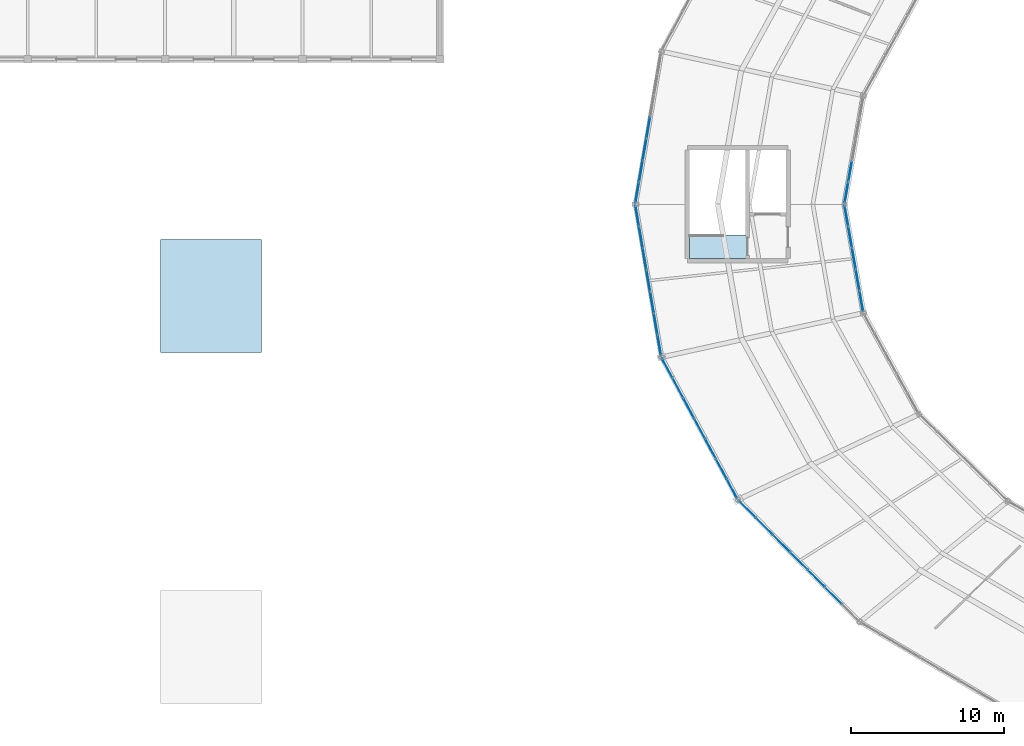
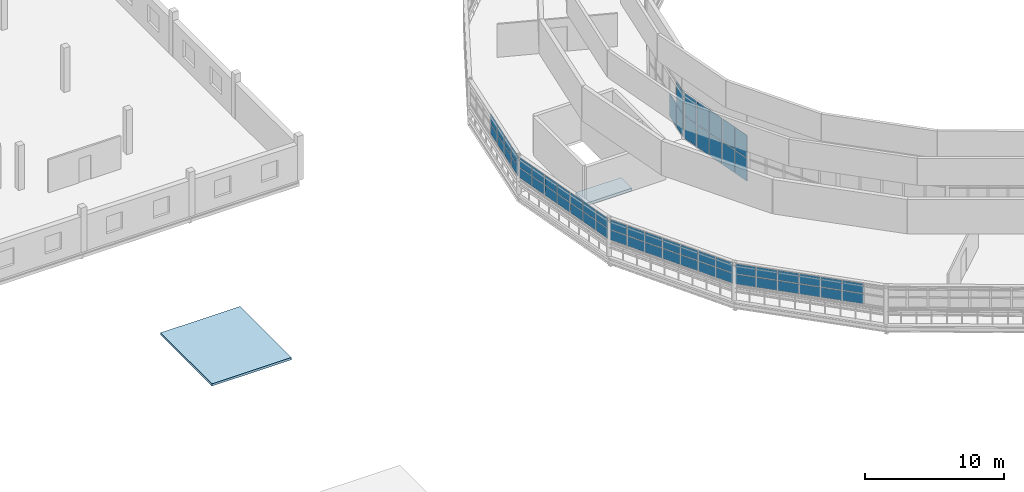
# One storey, part 79 of 123: 61 plates, 2 slabs, 6 elements without a shape of their own.
"""IFC4 building model written with IfcOpenShell, lengths in metres."""

import ifcopenshell
import ifcopenshell.guid

model = None  # the IFC model being written
_history = None  # IfcOwnerHistory: only IFC2X3 demands one
_inside = {}  # id of a spatial element -> (the spatial element, [elements in it])
_under = {}  # id of a project, library or spatial element -> (it, [spatial elements below it])
_declared = {}  # id of a project -> (the project, [libraries it declares])
_typed = {}  # id of a type object -> (the type object, [elements of that type])
_made_of = {}  # id of a material, layer set ... -> (it, [elements and type objects made of it])


def new_model(schema):
    """Start an empty IFC model of exactly this schema.

    Asked for "IFC4X3", IfcOpenShell would pick the latest addendum, in which some entities
    have other attributes; the version numbers below select the first issue.
    IFC2X3 requires an IfcOwnerHistory on every rooted entity: one is made here for all.
    """
    global model, _history
    if schema == "IFC4X3":
        model = ifcopenshell.file(schema_version=(4, 3, 0, 0))
    else:
        model = ifcopenshell.file(schema=schema)
    _inside.clear()
    _under.clear()
    _declared.clear()
    _typed.clear()
    _made_of.clear()
    _history = None
    if model.schema == "IFC2X3":
        org = make("IfcOrganization", Name="unknown")
        user = make(
            "IfcPersonAndOrganization",
            ThePerson=make("IfcPerson", FamilyName="unknown"),
            TheOrganization=org,
        )
        app = make(
            "IfcApplication",
            ApplicationDeveloper=org,
            Version="unknown",
            ApplicationFullName="unknown",
            ApplicationIdentifier="unknown",
        )
        _history = make(
            "IfcOwnerHistory",
            OwningUser=user,
            OwningApplication=app,
            ChangeAction="ADDED",
            CreationDate=0,
        )
    return model


def make(cls, **values):
    """One entity of the class cls with the attributes given. An attribute that is None is left unset."""
    return model.create_entity(
        cls, **{name: value for name, value in values.items() if value is not None}
    )


def rooted(cls, **values):
    """An entity with a GlobalId (a new one), such as an element, a storey or a relation."""
    return make(cls, GlobalId=ifcopenshell.guid.new(), OwnerHistory=_history, **values)


def si_unit(unit_type, name, prefix=None):
    """IfcSIUnit, for example si_unit("LENGTHUNIT", "METRE", prefix="MILLI")."""
    return make("IfcSIUnit", UnitType=unit_type, Prefix=prefix, Name=name)


def assignment(units):
    """IfcUnitAssignment: the units of a project."""
    return None if units is None else make("IfcUnitAssignment", Units=units)


def point(xyz):
    """IfcCartesianPoint."""
    return None if xyz is None else make("IfcCartesianPoint", Coordinates=xyz)


def direction(xyz):
    """IfcDirection."""
    return None if xyz is None else make("IfcDirection", DirectionRatios=xyz)


def frame(location, z_axis=None, x_axis=None):
    """IfcAxis2Placement3D, a coordinate frame: its origin and axes. An axis left out is left unset."""
    return make(
        "IfcAxis2Placement3D",
        Location=point(location),
        Axis=direction(z_axis),
        RefDirection=direction(x_axis),
    )


def frame_2d(location, x_axis=None):
    """IfcAxis2Placement2D, a coordinate frame in the plane: its origin and x axis."""
    return make(
        "IfcAxis2Placement2D", Location=point(location), RefDirection=direction(x_axis)
    )


def origin():
    """The frame at (0, 0, 0) with its axes left unset."""
    return frame((0.0, 0.0, 0.0))


def origin_2d():
    """The frame at (0, 0) in the plane with its x axis left unset."""
    return frame_2d((0.0, 0.0))


def place(relative_to, where):
    """IfcLocalPlacement: puts the frame where relative to a parent placement (None: the world)."""
    return make(
        "IfcLocalPlacement", PlacementRelTo=relative_to, RelativePlacement=where
    )


def context(
    kind, dimensions, precision=None, world=None, true_north=None, identifier=None
):
    """IfcGeometricRepresentationContext, for example the 3D "Model" context."""
    return make(
        "IfcGeometricRepresentationContext",
        ContextIdentifier=identifier,
        ContextType=kind,
        CoordinateSpaceDimension=dimensions,
        Precision=precision,
        WorldCoordinateSystem=world,
        TrueNorth=true_north,
    )


def subcontext(parent, identifier, kind, view, scale=None):
    """IfcGeometricRepresentationSubContext, for example "Body" below "Model"."""
    return make(
        "IfcGeometricRepresentationSubContext",
        ContextIdentifier=identifier,
        ContextType=kind,
        ParentContext=parent,
        TargetScale=scale,
        TargetView=view,
    )


def project(units=None, contexts=None):
    """IfcProject with its units and contexts."""
    return rooted(
        "IfcProject",
        Name="project",
        RepresentationContexts=contexts,
        UnitsInContext=assignment(units),
    )


def spatial(cls, under=None, at=None, **own):
    """A site, building, storey or space (cls), placed at a placement, below another one or the project."""
    s = rooted(cls, ObjectPlacement=at, **own)
    if under is not None:
        _under.setdefault(under.id(), (under, []))[1].append(s)
    return s


def polyline(points):
    """IfcPolyline through the points."""
    return make("IfcPolyline", Points=[point(p) for p in points])


def profile(cls, at=None, kind="AREA", **sizes):
    """A parametric profile (cls). Its sizes go by their IFC names, for example OverallWidth=200.0."""
    return make(cls, ProfileType=kind, Position=at, **sizes)


def rectangle(**sizes):
    """IfcRectangleProfileDef."""
    return profile("IfcRectangleProfileDef", **sizes)


def outline(outer, holes=None, kind="AREA"):
    """IfcArbitraryClosedProfileDef: a profile drawn as a closed curve; with holes, ...WithVoids."""
    if holes is None:
        return make("IfcArbitraryClosedProfileDef", ProfileType=kind, OuterCurve=outer)
    return make(
        "IfcArbitraryProfileDefWithVoids",
        ProfileType=kind,
        OuterCurve=outer,
        InnerCurves=holes,
    )


def extrude(swept, where, along, depth):
    """IfcExtrudedAreaSolid: the profile swept, set in the frame where, extruded along a direction by depth."""
    return make(
        "IfcExtrudedAreaSolid",
        SweptArea=swept,
        Position=where,
        ExtrudedDirection=direction(along),
        Depth=depth,
    )


def shape(context_of_items, identifier, shape_type, items):
    """IfcShapeRepresentation: the items that make up one representation, for example the "Body"."""
    return make(
        "IfcShapeRepresentation",
        ContextOfItems=context_of_items,
        RepresentationIdentifier=identifier,
        RepresentationType=shape_type,
        Items=items,
    )


def material(Name=None, Category=None):
    """IfcMaterial."""
    return make("IfcMaterial", Name=Name, Category=Category)


def layer(
    of_material, thickness, ventilated=None, Name=None, Category=None, Priority=None
):
    """IfcMaterialLayer: one layer of a wall or slab, of a material (None: an air gap)."""
    return make(
        "IfcMaterialLayer",
        Material=of_material,
        LayerThickness=thickness,
        IsVentilated=ventilated,
        Name=Name,
        Category=Category,
        Priority=Priority,
    )


def layer_set(layers, Name=None):
    """IfcMaterialLayerSet."""
    return make("IfcMaterialLayerSet", MaterialLayers=layers, LayerSetName=Name)


def made_of(thing, what):
    """Note that an element or type object is made of a material, layer set ...; save() writes the relation."""
    if what is not None:
        _made_of.setdefault(what.id(), (what, []))[1].append(thing)
    return thing


def type_object(cls, material=None, **own):
    """A type object (cls), such as IfcWallType, which elements share."""
    return made_of(rooted(cls, **own), material)


def element(
    cls,
    number,
    at=None,
    inside=None,
    cuts=None,
    type_object=None,
    material=None,
    context=None,
    identifier="Body",
    shape_type=None,
    held_by="IfcProductDefinitionShape",
    body=None,
    shapes=None,
    **own,
):
    """One element of the class cls, such as IfcWall. Its Tag is "e" and its number.

    at: its placement. inside: the storey or other place that contains it. cuts: it is an
    opening in that element (IfcRelVoidsElement). A single representation is given by context,
    identifier, shape_type and body (its items); several are given by shapes. held_by: the class
    of the entity that holds the representations. save() writes the other relations.
    """
    e = rooted(cls, Tag="e%d" % number, ObjectPlacement=at, **own)
    if body is not None:
        shapes = [shape(context, identifier, shape_type, body)]
    if shapes is not None:
        e.Representation = make(held_by, Representations=shapes)
    if inside is not None:
        _inside.setdefault(inside.id(), (inside, []))[1].append(e)
    if cuts is not None:
        rooted(
            "IfcRelVoidsElement", RelatingBuildingElement=cuts, RelatedOpeningElement=e
        )
    if type_object is not None:
        _typed.setdefault(type_object.id(), (type_object, []))[1].append(e)
    return made_of(e, material)


def aggregate(whole, parts):
    """IfcRelAggregates: a whole, such as a stair, and the parts it consists of."""
    return rooted("IfcRelAggregates", RelatingObject=whole, RelatedObjects=parts)


def save(model, path):
    """Write the relations noted so far, then the file.

    IfcRelAggregates (storeys below a building ...), IfcRelContainedInSpatialStructure (elements
    in a storey), IfcRelDefinesByType, IfcRelAssociatesMaterial and IfcRelDeclares: one each for
    every whole, place, type object, material and project.
    """
    for whole, parts in _under.values():
        aggregate(whole, parts)
    for where, things in _inside.values():
        rooted(
            "IfcRelContainedInSpatialStructure",
            RelatedElements=things,
            RelatingStructure=where,
        )
    for kind, things in _typed.values():
        rooted("IfcRelDefinesByType", RelatedObjects=things, RelatingType=kind)
    for what, things in _made_of.values():
        rooted("IfcRelAssociatesMaterial", RelatedObjects=things, RelatingMaterial=what)
    for by, libraries in _declared.values():
        rooted("IfcRelDeclares", RelatingContext=by, RelatedDefinitions=libraries)
    model.write(path)


model = new_model("IFC4")

# Units and contexts
model_context = context("Model", 3, precision=1e-05, world=origin(), true_north=direction((0.0, 1.0)))
body_context = subcontext(model_context, "Body", "Model", "MODEL_VIEW")
ifc_project = project(units=[si_unit("LENGTHUNIT", "METRE"), si_unit("AREAUNIT", "SQUARE_METRE"), si_unit("VOLUMEUNIT", "CUBIC_METRE"), si_unit("PLANEANGLEUNIT", "RADIAN"), si_unit("MASSUNIT", "GRAM", prefix="KILO")], contexts=[model_context])

# Site, building, storey
site_placement = place(None, origin())
site = spatial("IfcSite", under=ifc_project, at=site_placement, CompositionType="ELEMENT")
building_placement = place(site_placement, origin())
building = spatial("IfcBuilding", under=site, at=building_placement, Name="Kildeholm Park Wholesale Market", CompositionType="ELEMENT")
storey_placement = place(building_placement, frame((0.0, 0.0, 9.60009765625)))
storey = spatial("IfcBuildingStorey", under=building, at=storey_placement, Name="L02", CompositionType="ELEMENT", Elevation=9.60009765625)

# Curtain wall, plates
ifc_material_1 = material(Name="Anodised aluminium and low-E double-glazed glass", Category="aluminium")
curtain_wall_type = type_object("IfcCurtainWallType", Name="Clerestory daylight stick curtain wall CW-02", PredefinedType="NOTDEFINED", material=ifc_material_1)
curtain_wall_1_placement = place(storey_placement, origin())
curtain_wall_1 = element("IfcCurtainWall", 1, at=curtain_wall_1_placement, inside=storey, type_object=curtain_wall_type, Name="Curtain wall CW-V1-IN2-11 CW-0058", PredefinedType="NOTDEFINED")
ifc_material_2 = material(Name="Triple-glazed solar-control glass", Category="glass")
ifc_layer_1 = layer(ifc_material_2, 0.035888671875)
ifc_layer_set_1 = layer_set([ifc_layer_1], Name="Triple-glazed solar-control glass")
plate_type_1 = type_object("IfcPlateType", Name="Curtain-wall panel CWP-2 36 mm", PredefinedType="CURTAIN_PANEL", material=ifc_layer_set_1)
plate_1_placement = place(storey_placement, frame((62.868896484375, 91.651611328125, 0.06005859375), z_axis=(0.0, 0.0, 1.0), x_axis=(-0.172132515628, -0.985073802851, 0.0)))
plate_1 = element("IfcPlate", 2, at=plate_1_placement, type_object=plate_type_1, Name="CW-02 panel 4.1 PLT-0940", PredefinedType="CURTAIN_PANEL", context=body_context, shape_type="SweptSolid", body=[
    extrude(rectangle(XDim=1.369140625, YDim=0.035888671875, at=origin_2d()), origin(), (0.0, 0.0, 1.0), 1.985107421875),
])
plate_2_placement = place(storey_placement, frame((62.62548828125, 90.2587890625, 0.06005859375), z_axis=(0.0, 0.0, 1.0), x_axis=(-0.172132515628, -0.985073802851, 0.0)))
plate_2 = element("IfcPlate", 3, at=plate_2_placement, type_object=plate_type_1, Name="CW-02 panel 5.1 PLT-0942", PredefinedType="CURTAIN_PANEL", context=body_context, shape_type="SweptSolid", body=[
    extrude(rectangle(XDim=1.339111328125, YDim=0.035888671875, at=origin_2d()), origin(), (0.0, 0.0, 1.0), 1.985107421875),
])
plate_3_placement = place(storey_placement, frame((62.62548828125, 90.2587890625, 2.10498046875), z_axis=(0.0, 0.0, 1.0), x_axis=(-0.172132515628, -0.985073802851, 0.0)))
plate_3 = element("IfcPlate", 4, at=plate_3_placement, type_object=plate_type_1, Name="CW-02 panel 5.2 PLT-0943", PredefinedType="CURTAIN_PANEL", context=body_context, shape_type="SweptSolid", body=[
    extrude(rectangle(XDim=1.339111328125, YDim=0.035888671875, at=origin_2d()), origin(), (0.0, 0.0, 1.0), 1.985107421875),
])
aggregate(curtain_wall_1, [plate_1, plate_2, plate_3])

curtain_wall_2_placement = place(storey_placement, origin())
curtain_wall_2 = element("IfcCurtainWall", 5, at=curtain_wall_2_placement, inside=storey, type_object=curtain_wall_type, Name="Curtain wall CW-V1-IN2-12 CW-0063", PredefinedType="NOTDEFINED")
plate_4_placement = place(storey_placement, frame((62.62548828125, 88.7412109375, 0.06005859375), z_axis=(0.0, 0.0, 1.0), x_axis=(0.172132515628, -0.985073802851, 0.0)))
plate_4 = element("IfcPlate", 6, at=plate_4_placement, type_object=plate_type_1, Name="CW-02 panel 1.1 PLT-0994", PredefinedType="CURTAIN_PANEL", context=body_context, shape_type="SweptSolid", body=[
    extrude(rectangle(XDim=1.339111328125, YDim=0.035888671875, at=origin_2d()), origin(), (0.0, 0.0, 1.0), 1.985107421875),
])
plate_5_placement = place(storey_placement, frame((62.62548828125, 88.7412109375, 2.10498046875), z_axis=(0.0, 0.0, 1.0), x_axis=(0.172132515628, -0.985073802851, 0.0)))
plate_5 = element("IfcPlate", 7, at=plate_5_placement, type_object=plate_type_1, Name="CW-02 panel 1.2 PLT-0995", PredefinedType="CURTAIN_PANEL", context=body_context, shape_type="SweptSolid", body=[
    extrude(rectangle(XDim=1.339111328125, YDim=0.035888671875, at=origin_2d()), origin(), (0.0, 0.0, 1.0), 1.985107421875),
])
plate_6_placement = place(storey_placement, frame((62.868896484375, 87.348388671875, 0.06005859375), z_axis=(0.0, 0.0, 1.0), x_axis=(0.172132515628, -0.985073802851, 0.0)))
plate_6 = element("IfcPlate", 8, at=plate_6_placement, type_object=plate_type_1, Name="CW-02 panel 2.1 PLT-0996", PredefinedType="CURTAIN_PANEL", context=body_context, shape_type="SweptSolid", body=[
    extrude(rectangle(XDim=1.369140625, YDim=0.035888671875, at=origin_2d()), origin(), (0.0, 0.0, 1.0), 1.985107421875),
])
plate_7_placement = place(storey_placement, frame((62.868896484375, 87.348388671875, 2.10498046875), z_axis=(0.0, 0.0, 1.0), x_axis=(0.172132515628, -0.985073802851, 0.0)))
plate_7 = element("IfcPlate", 9, at=plate_7_placement, type_object=plate_type_1, Name="CW-02 panel 2.2 PLT-0997", PredefinedType="CURTAIN_PANEL", context=body_context, shape_type="SweptSolid", body=[
    extrude(rectangle(XDim=1.369140625, YDim=0.035888671875, at=origin_2d()), origin(), (0.0, 0.0, 1.0), 1.985107421875),
])
plate_8_placement = place(storey_placement, frame((63.114990234375, 85.9404296875, 0.06005859375), z_axis=(0.0, 0.0, 1.0), x_axis=(0.172132515628, -0.985073802851, 0.0)))
plate_8 = element("IfcPlate", 10, at=plate_8_placement, type_object=plate_type_1, Name="CW-02 panel 3.1 PLT-0998", PredefinedType="CURTAIN_PANEL", context=body_context, shape_type="SweptSolid", body=[
    extrude(rectangle(XDim=1.369140625, YDim=0.035888671875, at=origin_2d()), origin(), (0.0, 0.0, 1.0), 1.985107421875),
])
plate_9_placement = place(storey_placement, frame((63.114990234375, 85.9404296875, 2.10498046875), z_axis=(0.0, 0.0, 1.0), x_axis=(0.172132515628, -0.985073802851, 0.0)))
plate_9 = element("IfcPlate", 11, at=plate_9_placement, type_object=plate_type_1, Name="CW-02 panel 3.2 PLT-0999", PredefinedType="CURTAIN_PANEL", context=body_context, shape_type="SweptSolid", body=[
    extrude(rectangle(XDim=1.369140625, YDim=0.035888671875, at=origin_2d()), origin(), (0.0, 0.0, 1.0), 1.985107421875),
])
plate_10_placement = place(storey_placement, frame((63.361083984375, 84.53271484375, 0.06005859375), z_axis=(0.0, 0.0, 1.0), x_axis=(0.172132515628, -0.985073802851, 0.0)))
plate_10 = element("IfcPlate", 12, at=plate_10_placement, type_object=plate_type_1, Name="CW-02 panel 4.1 PLT-1000", PredefinedType="CURTAIN_PANEL", context=body_context, shape_type="SweptSolid", body=[
    extrude(rectangle(XDim=1.369140625, YDim=0.035888671875, at=origin_2d()), origin(), (0.0, 0.0, 1.0), 1.985107421875),
])
plate_11_placement = place(storey_placement, frame((63.361083984375, 84.53271484375, 2.10498046875), z_axis=(0.0, 0.0, 1.0), x_axis=(0.172132515628, -0.985073802851, 0.0)))
plate_11 = element("IfcPlate", 13, at=plate_11_placement, type_object=plate_type_1, Name="CW-02 panel 4.2 PLT-1001", PredefinedType="CURTAIN_PANEL", context=body_context, shape_type="SweptSolid", body=[
    extrude(rectangle(XDim=1.369140625, YDim=0.035888671875, at=origin_2d()), origin(), (0.0, 0.0, 1.0), 1.985107421875),
])
plate_12_placement = place(storey_placement, frame((63.6044921875, 83.1396484375, 0.06005859375), z_axis=(0.0, 0.0, 1.0), x_axis=(0.172132515628, -0.985073802851, 0.0)))
plate_12 = element("IfcPlate", 14, at=plate_12_placement, type_object=plate_type_1, Name="CW-02 panel 5.1 PLT-1002", PredefinedType="CURTAIN_PANEL", context=body_context, shape_type="SweptSolid", body=[
    extrude(rectangle(XDim=1.339111328125, YDim=0.035888671875, at=origin_2d()), origin(), (0.0, 0.0, 1.0), 1.985107421875),
])
plate_13_placement = place(storey_placement, frame((63.6044921875, 83.1396484375, 2.10498046875), z_axis=(0.0, 0.0, 1.0), x_axis=(0.172132515628, -0.985073802851, 0.0)))
plate_13 = element("IfcPlate", 15, at=plate_13_placement, type_object=plate_type_1, Name="CW-02 panel 5.2 PLT-1003", PredefinedType="CURTAIN_PANEL", context=body_context, shape_type="SweptSolid", body=[
    extrude(rectangle(XDim=1.339111328125, YDim=0.035888671875, at=origin_2d()), origin(), (0.0, 0.0, 1.0), 1.985107421875),
])
aggregate(curtain_wall_2, [plate_4, plate_5, plate_6, plate_7, plate_8, plate_9, plate_10, plate_11, plate_12, plate_13])

curtain_wall_3_placement = place(storey_placement, origin())
curtain_wall_3 = element("IfcCurtainWall", 16, at=curtain_wall_3_placement, inside=storey, type_object=curtain_wall_type, Name="Curtain wall CW-V1-CL-11 CW-0055", PredefinedType="NOTDEFINED")
ifc_material_3 = material(Name="Fritted solar-control clerestory glass", Category="glass")
ifc_layer_2 = layer(ifc_material_3, 0.031982421875)
ifc_layer_set_2 = layer_set([ifc_layer_2], Name="Fritted solar-control clerestory glass")
plate_type_2 = type_object("IfcPlateType", Name="Curtain-wall panel CWP-4 32 mm", PredefinedType="CURTAIN_PANEL", material=ifc_layer_set_2)
plate_14_placement = place(storey_placement, frame((49.6484375, 94.509033203125, 1.40966796875), z_axis=(0.0, 0.0, 1.0), x_axis=(-0.168322320564, -0.985732010437, 0.0)))
plate_14 = element("IfcPlate", 17, at=plate_14_placement, type_object=plate_type_2, Name="CW-02 panel 4.1 PLT-0906", PredefinedType="CURTAIN_PANEL", context=body_context, shape_type="SweptSolid", body=[
    extrude(rectangle(XDim=1.38037109375, YDim=0.031982421875, at=origin_2d()), origin(), (0.0, 0.0, 1.0), 0.860107421875),
])
plate_15_placement = place(storey_placement, frame((49.6484375, 94.509033203125, 2.330078125), z_axis=(0.0, 0.0, 1.0), x_axis=(-0.168322320564, -0.985732010437, 0.0)))
plate_15 = element("IfcPlate", 18, at=plate_15_placement, type_object=plate_type_2, Name="CW-02 panel 4.2 PLT-0907", PredefinedType="CURTAIN_PANEL", context=body_context, shape_type="SweptSolid", body=[
    extrude(rectangle(XDim=1.38037109375, YDim=0.031982421875, at=origin_2d()), origin(), (0.0, 0.0, 1.0), 0.860107421875),
])
plate_16_placement = place(storey_placement, frame((49.406005859375, 93.08935546875, 1.40966796875), z_axis=(0.0, 0.0, 1.0), x_axis=(-0.168322320564, -0.985732010437, 0.0)))
plate_16 = element("IfcPlate", 19, at=plate_16_placement, type_object=plate_type_2, Name="CW-02 panel 5.1 PLT-0908", PredefinedType="CURTAIN_PANEL", context=body_context, shape_type="SweptSolid", body=[
    extrude(rectangle(XDim=1.38037109375, YDim=0.031982421875, at=origin_2d()), origin(), (0.0, 0.0, 1.0), 0.860107421875),
])
plate_17_placement = place(storey_placement, frame((49.406005859375, 93.08935546875, 2.330078125), z_axis=(0.0, 0.0, 1.0), x_axis=(-0.168322320564, -0.985732010437, 0.0)))
plate_17 = element("IfcPlate", 20, at=plate_17_placement, type_object=plate_type_2, Name="CW-02 panel 5.2 PLT-0909", PredefinedType="CURTAIN_PANEL", context=body_context, shape_type="SweptSolid", body=[
    extrude(rectangle(XDim=1.38037109375, YDim=0.031982421875, at=origin_2d()), origin(), (0.0, 0.0, 1.0), 0.860107421875),
])
plate_18_placement = place(storey_placement, frame((49.16357421875, 91.669677734375, 1.40966796875), z_axis=(0.0, 0.0, 1.0), x_axis=(-0.168322320564, -0.985732010437, 0.0)))
plate_18 = element("IfcPlate", 21, at=plate_18_placement, type_object=plate_type_2, Name="CW-02 panel 6.1 PLT-0910", PredefinedType="CURTAIN_PANEL", context=body_context, shape_type="SweptSolid", body=[
    extrude(rectangle(XDim=1.38037109375, YDim=0.031982421875, at=origin_2d()), origin(), (0.0, 0.0, 1.0), 0.860107421875),
])
plate_19_placement = place(storey_placement, frame((49.16357421875, 91.669677734375, 2.330078125), z_axis=(0.0, 0.0, 1.0), x_axis=(-0.168322320564, -0.985732010437, 0.0)))
plate_19 = element("IfcPlate", 22, at=plate_19_placement, type_object=plate_type_2, Name="CW-02 panel 6.2 PLT-0911", PredefinedType="CURTAIN_PANEL", context=body_context, shape_type="SweptSolid", body=[
    extrude(rectangle(XDim=1.38037109375, YDim=0.031982421875, at=origin_2d()), origin(), (0.0, 0.0, 1.0), 0.860107421875),
])
plate_20_placement = place(storey_placement, frame((48.923828125, 90.2646484375, 1.40966796875), z_axis=(0.0, 0.0, 1.0), x_axis=(-0.168322320564, -0.985732010437, 0.0)))
plate_20 = element("IfcPlate", 23, at=plate_20_placement, type_object=plate_type_2, Name="CW-02 panel 7.1 PLT-0912", PredefinedType="CURTAIN_PANEL", context=body_context, shape_type="SweptSolid", body=[
    extrude(rectangle(XDim=1.350341796875, YDim=0.031982421875, at=origin_2d()), origin(), (0.0, 0.0, 1.0), 0.860107421875),
])
plate_21_placement = place(storey_placement, frame((48.923828125, 90.2646484375, 2.330078125), z_axis=(0.0, 0.0, 1.0), x_axis=(-0.168322320564, -0.985732010437, 0.0)))
plate_21 = element("IfcPlate", 24, at=plate_21_placement, type_object=plate_type_2, Name="CW-02 panel 7.2 PLT-0913", PredefinedType="CURTAIN_PANEL", context=body_context, shape_type="SweptSolid", body=[
    extrude(rectangle(XDim=1.350341796875, YDim=0.031982421875, at=origin_2d()), origin(), (0.0, 0.0, 1.0), 0.860107421875),
])
aggregate(curtain_wall_3, [plate_14, plate_15, plate_16, plate_17, plate_18, plate_19, plate_20, plate_21])

curtain_wall_4_placement = place(storey_placement, origin())
curtain_wall_4 = element("IfcCurtainWall", 25, at=curtain_wall_4_placement, inside=storey, type_object=curtain_wall_type, Name="Curtain wall CW-V1-CL-12 CW-0060", PredefinedType="NOTDEFINED")
plate_22_placement = place(storey_placement, frame((48.923828125, 88.7353515625, 1.40966796875), z_axis=(0.0, 0.0, 1.0), x_axis=(0.168322320564, -0.985732010437, 0.0)))
plate_22 = element("IfcPlate", 26, at=plate_22_placement, type_object=plate_type_2, Name="CW-02 panel 1.1 PLT-0960", PredefinedType="CURTAIN_PANEL", context=body_context, shape_type="SweptSolid", body=[
    extrude(rectangle(XDim=1.350341796875, YDim=0.031982421875, at=origin_2d()), origin(), (0.0, 0.0, 1.0), 0.860107421875),
])
plate_23_placement = place(storey_placement, frame((48.923828125, 88.7353515625, 2.330078125), z_axis=(0.0, 0.0, 1.0), x_axis=(0.168322320564, -0.985732010437, 0.0)))
plate_23 = element("IfcPlate", 27, at=plate_23_placement, type_object=plate_type_2, Name="CW-02 panel 1.2 PLT-0961", PredefinedType="CURTAIN_PANEL", context=body_context, shape_type="SweptSolid", body=[
    extrude(rectangle(XDim=1.350341796875, YDim=0.031982421875, at=origin_2d()), origin(), (0.0, 0.0, 1.0), 0.860107421875),
])
plate_24_placement = place(storey_placement, frame((49.16357421875, 87.330322265625, 1.40966796875), z_axis=(0.0, 0.0, 1.0), x_axis=(0.168322320564, -0.985732010437, 0.0)))
plate_24 = element("IfcPlate", 28, at=plate_24_placement, type_object=plate_type_2, Name="CW-02 panel 2.1 PLT-0962", PredefinedType="CURTAIN_PANEL", context=body_context, shape_type="SweptSolid", body=[
    extrude(rectangle(XDim=1.38037109375, YDim=0.031982421875, at=origin_2d()), origin(), (0.0, 0.0, 1.0), 0.860107421875),
])
plate_25_placement = place(storey_placement, frame((49.16357421875, 87.330322265625, 2.330078125), z_axis=(0.0, 0.0, 1.0), x_axis=(0.168322320564, -0.985732010437, 0.0)))
plate_25 = element("IfcPlate", 29, at=plate_25_placement, type_object=plate_type_2, Name="CW-02 panel 2.2 PLT-0963", PredefinedType="CURTAIN_PANEL", context=body_context, shape_type="SweptSolid", body=[
    extrude(rectangle(XDim=1.38037109375, YDim=0.031982421875, at=origin_2d()), origin(), (0.0, 0.0, 1.0), 0.860107421875),
])
plate_26_placement = place(storey_placement, frame((49.406005859375, 85.91064453125, 1.40966796875), z_axis=(0.0, 0.0, 1.0), x_axis=(0.168322320564, -0.985732010437, 0.0)))
plate_26 = element("IfcPlate", 30, at=plate_26_placement, type_object=plate_type_2, Name="CW-02 panel 3.1 PLT-0964", PredefinedType="CURTAIN_PANEL", context=body_context, shape_type="SweptSolid", body=[
    extrude(rectangle(XDim=1.38037109375, YDim=0.031982421875, at=origin_2d()), origin(), (0.0, 0.0, 1.0), 0.860107421875),
])
plate_27_placement = place(storey_placement, frame((49.406005859375, 85.91064453125, 2.330078125), z_axis=(0.0, 0.0, 1.0), x_axis=(0.168322320564, -0.985732010437, 0.0)))
plate_27 = element("IfcPlate", 31, at=plate_27_placement, type_object=plate_type_2, Name="CW-02 panel 3.2 PLT-0965", PredefinedType="CURTAIN_PANEL", context=body_context, shape_type="SweptSolid", body=[
    extrude(rectangle(XDim=1.38037109375, YDim=0.031982421875, at=origin_2d()), origin(), (0.0, 0.0, 1.0), 0.860107421875),
])
plate_28_placement = place(storey_placement, frame((49.6484375, 84.490966796875, 1.40966796875), z_axis=(0.0, 0.0, 1.0), x_axis=(0.168322320564, -0.985732010437, 0.0)))
plate_28 = element("IfcPlate", 32, at=plate_28_placement, type_object=plate_type_2, Name="CW-02 panel 4.1 PLT-0966", PredefinedType="CURTAIN_PANEL", context=body_context, shape_type="SweptSolid", body=[
    extrude(rectangle(XDim=1.38037109375, YDim=0.031982421875, at=origin_2d()), origin(), (0.0, 0.0, 1.0), 0.860107421875),
])
plate_29_placement = place(storey_placement, frame((49.6484375, 84.490966796875, 2.330078125), z_axis=(0.0, 0.0, 1.0), x_axis=(0.168322320564, -0.985732010437, 0.0)))
plate_29 = element("IfcPlate", 33, at=plate_29_placement, type_object=plate_type_2, Name="CW-02 panel 4.2 PLT-0967", PredefinedType="CURTAIN_PANEL", context=body_context, shape_type="SweptSolid", body=[
    extrude(rectangle(XDim=1.38037109375, YDim=0.031982421875, at=origin_2d()), origin(), (0.0, 0.0, 1.0), 0.860107421875),
])
plate_30_placement = place(storey_placement, frame((49.890869140625, 83.0712890625, 1.40966796875), z_axis=(0.0, 0.0, 1.0), x_axis=(0.168322320564, -0.985732010437, 0.0)))
plate_30 = element("IfcPlate", 34, at=plate_30_placement, type_object=plate_type_2, Name="CW-02 panel 5.1 PLT-0968", PredefinedType="CURTAIN_PANEL", context=body_context, shape_type="SweptSolid", body=[
    extrude(rectangle(XDim=1.38037109375, YDim=0.031982421875, at=origin_2d()), origin(), (0.0, 0.0, 1.0), 0.860107421875),
])
plate_31_placement = place(storey_placement, frame((49.890869140625, 83.0712890625, 2.330078125), z_axis=(0.0, 0.0, 1.0), x_axis=(0.168322320564, -0.985732010437, 0.0)))
plate_31 = element("IfcPlate", 35, at=plate_31_placement, type_object=plate_type_2, Name="CW-02 panel 5.2 PLT-0969", PredefinedType="CURTAIN_PANEL", context=body_context, shape_type="SweptSolid", body=[
    extrude(rectangle(XDim=1.38037109375, YDim=0.031982421875, at=origin_2d()), origin(), (0.0, 0.0, 1.0), 0.860107421875),
])
plate_32_placement = place(storey_placement, frame((50.13330078125, 81.651611328125, 1.40966796875), z_axis=(0.0, 0.0, 1.0), x_axis=(0.168322320564, -0.985732010437, 0.0)))
plate_32 = element("IfcPlate", 36, at=plate_32_placement, type_object=plate_type_2, Name="CW-02 panel 6.1 PLT-0970", PredefinedType="CURTAIN_PANEL", context=body_context, shape_type="SweptSolid", body=[
    extrude(rectangle(XDim=1.38037109375, YDim=0.031982421875, at=origin_2d()), origin(), (0.0, 0.0, 1.0), 0.860107421875),
])
plate_33_placement = place(storey_placement, frame((50.13330078125, 81.651611328125, 2.330078125), z_axis=(0.0, 0.0, 1.0), x_axis=(0.168322320564, -0.985732010437, 0.0)))
plate_33 = element("IfcPlate", 37, at=plate_33_placement, type_object=plate_type_2, Name="CW-02 panel 6.2 PLT-0971", PredefinedType="CURTAIN_PANEL", context=body_context, shape_type="SweptSolid", body=[
    extrude(rectangle(XDim=1.38037109375, YDim=0.031982421875, at=origin_2d()), origin(), (0.0, 0.0, 1.0), 0.860107421875),
])
plate_34_placement = place(storey_placement, frame((50.373291015625, 80.24658203125, 1.40966796875), z_axis=(0.0, 0.0, 1.0), x_axis=(0.168322320564, -0.985732010437, 0.0)))
plate_34 = element("IfcPlate", 38, at=plate_34_placement, type_object=plate_type_2, Name="CW-02 panel 7.1 PLT-0972", PredefinedType="CURTAIN_PANEL", context=body_context, shape_type="SweptSolid", body=[
    extrude(rectangle(XDim=1.350341796875, YDim=0.031982421875, at=origin_2d()), origin(), (0.0, 0.0, 1.0), 0.860107421875),
])
plate_35_placement = place(storey_placement, frame((50.373291015625, 80.24658203125, 2.330078125), z_axis=(0.0, 0.0, 1.0), x_axis=(0.168322320564, -0.985732010437, 0.0)))
plate_35 = element("IfcPlate", 39, at=plate_35_placement, type_object=plate_type_2, Name="CW-02 panel 7.2 PLT-0973", PredefinedType="CURTAIN_PANEL", context=body_context, shape_type="SweptSolid", body=[
    extrude(rectangle(XDim=1.350341796875, YDim=0.031982421875, at=origin_2d()), origin(), (0.0, 0.0, 1.0), 0.860107421875),
])
aggregate(curtain_wall_4, [plate_22, plate_23, plate_24, plate_25, plate_26, plate_27, plate_28, plate_29, plate_30, plate_31, plate_32, plate_33, plate_34, plate_35])

curtain_wall_5_placement = place(storey_placement, origin())
curtain_wall_5 = element("IfcCurtainWall", 40, at=curtain_wall_5_placement, inside=storey, type_object=curtain_wall_type, Name="Curtain wall CW-V1-CL-13 CW-0065", PredefinedType="NOTDEFINED")
plate_36_placement = place(storey_placement, frame((50.8857421875, 78.77197265625, 1.40966796875), z_axis=(0.0, 0.0, 1.0), x_axis=(0.473339828092, -0.880879905062, 0.0)))
plate_36 = element("IfcPlate", 41, at=plate_36_placement, type_object=plate_type_2, Name="CW-02 panel 1.1 PLT-1020", PredefinedType="CURTAIN_PANEL", context=body_context, shape_type="SweptSolid", body=[
    extrude(rectangle(XDim=1.412353515625, YDim=0.031982421875, at=origin_2d()), origin(), (0.0, 0.0, 1.0), 0.860107421875),
])
plate_37_placement = place(storey_placement, frame((50.8857421875, 78.77197265625, 2.330078125), z_axis=(0.0, 0.0, 1.0), x_axis=(0.473339828092, -0.880879905062, 0.0)))
plate_37 = element("IfcPlate", 42, at=plate_37_placement, type_object=plate_type_2, Name="CW-02 panel 1.2 PLT-1021", PredefinedType="CURTAIN_PANEL", context=body_context, shape_type="SweptSolid", body=[
    extrude(rectangle(XDim=1.412353515625, YDim=0.031982421875, at=origin_2d()), origin(), (0.0, 0.0, 1.0), 0.860107421875),
])
plate_38_placement = place(storey_placement, frame((51.589599609375, 77.4619140625, 1.40966796875), z_axis=(0.0, 0.0, 1.0), x_axis=(0.473339828092, -0.880879905062, 0.0)))
plate_38 = element("IfcPlate", 43, at=plate_38_placement, type_object=plate_type_2, Name="CW-02 panel 2.1 PLT-1022", PredefinedType="CURTAIN_PANEL", context=body_context, shape_type="SweptSolid", body=[
    extrude(rectangle(XDim=1.4423828125, YDim=0.031982421875, at=origin_2d()), origin(), (0.0, 0.0, 1.0), 0.860107421875),
])
plate_39_placement = place(storey_placement, frame((51.589599609375, 77.4619140625, 2.330078125), z_axis=(0.0, 0.0, 1.0), x_axis=(0.473339828092, -0.880879905062, 0.0)))
plate_39 = element("IfcPlate", 44, at=plate_39_placement, type_object=plate_type_2, Name="CW-02 panel 2.2 PLT-1023", PredefinedType="CURTAIN_PANEL", context=body_context, shape_type="SweptSolid", body=[
    extrude(rectangle(XDim=1.4423828125, YDim=0.031982421875, at=origin_2d()), origin(), (0.0, 0.0, 1.0), 0.860107421875),
])
plate_40_placement = place(storey_placement, frame((52.30078125, 76.138427734375, 1.40966796875), z_axis=(0.0, 0.0, 1.0), x_axis=(0.473339828092, -0.880879905062, 0.0)))
plate_40 = element("IfcPlate", 45, at=plate_40_placement, type_object=plate_type_2, Name="CW-02 panel 3.1 PLT-1024", PredefinedType="CURTAIN_PANEL", context=body_context, shape_type="SweptSolid", body=[
    extrude(rectangle(XDim=1.4423828125, YDim=0.031982421875, at=origin_2d()), origin(), (0.0, 0.0, 1.0), 0.860107421875),
])
plate_41_placement = place(storey_placement, frame((52.30078125, 76.138427734375, 2.330078125), z_axis=(0.0, 0.0, 1.0), x_axis=(0.473339828092, -0.880879905062, 0.0)))
plate_41 = element("IfcPlate", 46, at=plate_41_placement, type_object=plate_type_2, Name="CW-02 panel 3.2 PLT-1025", PredefinedType="CURTAIN_PANEL", context=body_context, shape_type="SweptSolid", body=[
    extrude(rectangle(XDim=1.4423828125, YDim=0.031982421875, at=origin_2d()), origin(), (0.0, 0.0, 1.0), 0.860107421875),
])
plate_42_placement = place(storey_placement, frame((53.011962890625, 74.81494140625, 1.40966796875), z_axis=(0.0, 0.0, 1.0), x_axis=(0.473339828092, -0.880879905062, 0.0)))
plate_42 = element("IfcPlate", 47, at=plate_42_placement, type_object=plate_type_2, Name="CW-02 panel 4.1 PLT-1026", PredefinedType="CURTAIN_PANEL", context=body_context, shape_type="SweptSolid", body=[
    extrude(rectangle(XDim=1.4423828125, YDim=0.031982421875, at=origin_2d()), origin(), (0.0, 0.0, 1.0), 0.860107421875),
])
plate_43_placement = place(storey_placement, frame((53.011962890625, 74.81494140625, 2.330078125), z_axis=(0.0, 0.0, 1.0), x_axis=(0.473339828092, -0.880879905062, 0.0)))
plate_43 = element("IfcPlate", 48, at=plate_43_placement, type_object=plate_type_2, Name="CW-02 panel 4.2 PLT-1027", PredefinedType="CURTAIN_PANEL", context=body_context, shape_type="SweptSolid", body=[
    extrude(rectangle(XDim=1.4423828125, YDim=0.031982421875, at=origin_2d()), origin(), (0.0, 0.0, 1.0), 0.860107421875),
])
plate_44_placement = place(storey_placement, frame((53.72314453125, 73.491455078125, 1.40966796875), z_axis=(0.0, 0.0, 1.0), x_axis=(0.473339828092, -0.880879905062, 0.0)))
plate_44 = element("IfcPlate", 49, at=plate_44_placement, type_object=plate_type_2, Name="CW-02 panel 5.1 PLT-1028", PredefinedType="CURTAIN_PANEL", context=body_context, shape_type="SweptSolid", body=[
    extrude(rectangle(XDim=1.4423828125, YDim=0.031982421875, at=origin_2d()), origin(), (0.0, 0.0, 1.0), 0.860107421875),
])
plate_45_placement = place(storey_placement, frame((53.72314453125, 73.491455078125, 2.330078125), z_axis=(0.0, 0.0, 1.0), x_axis=(0.473339828092, -0.880879905062, 0.0)))
plate_45 = element("IfcPlate", 50, at=plate_45_placement, type_object=plate_type_2, Name="CW-02 panel 5.2 PLT-1029", PredefinedType="CURTAIN_PANEL", context=body_context, shape_type="SweptSolid", body=[
    extrude(rectangle(XDim=1.4423828125, YDim=0.031982421875, at=origin_2d()), origin(), (0.0, 0.0, 1.0), 0.860107421875),
])
plate_46_placement = place(storey_placement, frame((54.434326171875, 72.168212890625, 1.40966796875), z_axis=(0.0, 0.0, 1.0), x_axis=(0.473339828092, -0.880879905062, 0.0)))
plate_46 = element("IfcPlate", 51, at=plate_46_placement, type_object=plate_type_2, Name="CW-02 panel 6.1 PLT-1030", PredefinedType="CURTAIN_PANEL", context=body_context, shape_type="SweptSolid", body=[
    extrude(rectangle(XDim=1.4423828125, YDim=0.031982421875, at=origin_2d()), origin(), (0.0, 0.0, 1.0), 0.860107421875),
])
plate_47_placement = place(storey_placement, frame((54.434326171875, 72.168212890625, 2.330078125), z_axis=(0.0, 0.0, 1.0), x_axis=(0.473339828092, -0.880879905062, 0.0)))
plate_47 = element("IfcPlate", 52, at=plate_47_placement, type_object=plate_type_2, Name="CW-02 panel 6.2 PLT-1031", PredefinedType="CURTAIN_PANEL", context=body_context, shape_type="SweptSolid", body=[
    extrude(rectangle(XDim=1.4423828125, YDim=0.031982421875, at=origin_2d()), origin(), (0.0, 0.0, 1.0), 0.860107421875),
])
plate_48_placement = place(storey_placement, frame((55.138427734375, 70.85791015625, 1.40966796875), z_axis=(0.0, 0.0, 1.0), x_axis=(0.473339828092, -0.880879905062, 0.0)))
plate_48 = element("IfcPlate", 53, at=plate_48_placement, type_object=plate_type_2, Name="CW-02 panel 7.1 PLT-1032", PredefinedType="CURTAIN_PANEL", context=body_context, shape_type="SweptSolid", body=[
    extrude(rectangle(XDim=1.412353515625, YDim=0.031982421875, at=origin_2d()), origin(), (0.0, 0.0, 1.0), 0.860107421875),
])
plate_49_placement = place(storey_placement, frame((55.138427734375, 70.85791015625, 2.330078125), z_axis=(0.0, 0.0, 1.0), x_axis=(0.473339828092, -0.880879905062, 0.0)))
plate_49 = element("IfcPlate", 54, at=plate_49_placement, type_object=plate_type_2, Name="CW-02 panel 7.2 PLT-1033", PredefinedType="CURTAIN_PANEL", context=body_context, shape_type="SweptSolid", body=[
    extrude(rectangle(XDim=1.412353515625, YDim=0.031982421875, at=origin_2d()), origin(), (0.0, 0.0, 1.0), 0.860107421875),
])
aggregate(curtain_wall_5, [plate_36, plate_37, plate_38, plate_39, plate_40, plate_41, plate_42, plate_43, plate_44, plate_45, plate_46, plate_47, plate_48, plate_49])

curtain_wall_6_placement = place(storey_placement, origin())
curtain_wall_6 = element("IfcCurtainWall", 55, at=curtain_wall_6_placement, inside=storey, type_object=curtain_wall_type, Name="Curtain wall CW-V1-CL-14 CW-0070", PredefinedType="NOTDEFINED")
plate_50_placement = place(storey_placement, frame((56.12548828125, 69.539794921875, 1.40966796875), z_axis=(0.0, 0.0, 1.0), x_axis=(0.705412692399, -0.708796820959, 0.0)))
plate_50 = element("IfcPlate", 56, at=plate_50_placement, type_object=plate_type_2, Name="CW-02 panel 1.1 PLT-1082", PredefinedType="CURTAIN_PANEL", context=body_context, shape_type="SweptSolid", body=[
    extrude(rectangle(XDim=1.51416015625, YDim=0.031982421875, at=origin_2d()), origin(), (0.0, 0.0, 1.0), 0.860107421875),
])
plate_51_placement = place(storey_placement, frame((56.12548828125, 69.539794921875, 2.330078125), z_axis=(0.0, 0.0, 1.0), x_axis=(0.705412692399, -0.708796820959, 0.0)))
plate_51 = element("IfcPlate", 57, at=plate_51_placement, type_object=plate_type_2, Name="CW-02 panel 1.2 PLT-1083", PredefinedType="CURTAIN_PANEL", context=body_context, shape_type="SweptSolid", body=[
    extrude(rectangle(XDim=1.51416015625, YDim=0.031982421875, at=origin_2d()), origin(), (0.0, 0.0, 1.0), 0.860107421875),
])
plate_52_placement = place(storey_placement, frame((57.246337890625, 68.41357421875, 1.40966796875), z_axis=(0.0, 0.0, 1.0), x_axis=(0.705412692399, -0.708796820959, 0.0)))
plate_52 = element("IfcPlate", 58, at=plate_52_placement, type_object=plate_type_2, Name="CW-02 panel 2.1 PLT-1084", PredefinedType="CURTAIN_PANEL", context=body_context, shape_type="SweptSolid", body=[
    extrude(rectangle(XDim=1.544189453125, YDim=0.031982421875, at=origin_2d()), origin(), (0.0, 0.0, 1.0), 0.860107421875),
])
plate_53_placement = place(storey_placement, frame((57.246337890625, 68.41357421875, 2.330078125), z_axis=(0.0, 0.0, 1.0), x_axis=(0.705412692399, -0.708796820959, 0.0)))
plate_53 = element("IfcPlate", 59, at=plate_53_placement, type_object=plate_type_2, Name="CW-02 panel 2.2 PLT-1085", PredefinedType="CURTAIN_PANEL", context=body_context, shape_type="SweptSolid", body=[
    extrude(rectangle(XDim=1.544189453125, YDim=0.031982421875, at=origin_2d()), origin(), (0.0, 0.0, 1.0), 0.860107421875),
])
plate_54_placement = place(storey_placement, frame((58.3779296875, 67.276611328125, 1.40966796875), z_axis=(0.0, 0.0, 1.0), x_axis=(0.705412692399, -0.708796820959, 0.0)))
plate_54 = element("IfcPlate", 60, at=plate_54_placement, type_object=plate_type_2, Name="CW-02 panel 3.1 PLT-1086", PredefinedType="CURTAIN_PANEL", context=body_context, shape_type="SweptSolid", body=[
    extrude(rectangle(XDim=1.544189453125, YDim=0.031982421875, at=origin_2d()), origin(), (0.0, 0.0, 1.0), 0.860107421875),
])
plate_55_placement = place(storey_placement, frame((58.3779296875, 67.276611328125, 2.330078125), z_axis=(0.0, 0.0, 1.0), x_axis=(0.705412692399, -0.708796820959, 0.0)))
plate_55 = element("IfcPlate", 61, at=plate_55_placement, type_object=plate_type_2, Name="CW-02 panel 3.2 PLT-1087", PredefinedType="CURTAIN_PANEL", context=body_context, shape_type="SweptSolid", body=[
    extrude(rectangle(XDim=1.544189453125, YDim=0.031982421875, at=origin_2d()), origin(), (0.0, 0.0, 1.0), 0.860107421875),
])
plate_56_placement = place(storey_placement, frame((59.509521484375, 66.139404296875, 1.40966796875), z_axis=(0.0, 0.0, 1.0), x_axis=(0.705412692399, -0.708796820959, 0.0)))
plate_56 = element("IfcPlate", 62, at=plate_56_placement, type_object=plate_type_2, Name="CW-02 panel 4.1 PLT-1088", PredefinedType="CURTAIN_PANEL", context=body_context, shape_type="SweptSolid", body=[
    extrude(rectangle(XDim=1.544189453125, YDim=0.031982421875, at=origin_2d()), origin(), (0.0, 0.0, 1.0), 0.860107421875),
])
plate_57_placement = place(storey_placement, frame((59.509521484375, 66.139404296875, 2.330078125), z_axis=(0.0, 0.0, 1.0), x_axis=(0.705412692399, -0.708796820959, 0.0)))
plate_57 = element("IfcPlate", 63, at=plate_57_placement, type_object=plate_type_2, Name="CW-02 panel 4.2 PLT-1089", PredefinedType="CURTAIN_PANEL", context=body_context, shape_type="SweptSolid", body=[
    extrude(rectangle(XDim=1.544189453125, YDim=0.031982421875, at=origin_2d()), origin(), (0.0, 0.0, 1.0), 0.860107421875),
])
plate_58_placement = place(storey_placement, frame((60.64111328125, 65.00244140625, 1.40966796875), z_axis=(0.0, 0.0, 1.0), x_axis=(0.705412692399, -0.708796820959, 0.0)))
plate_58 = element("IfcPlate", 64, at=plate_58_placement, type_object=plate_type_2, Name="CW-02 panel 5.1 PLT-1090", PredefinedType="CURTAIN_PANEL", context=body_context, shape_type="SweptSolid", body=[
    extrude(rectangle(XDim=1.544189453125, YDim=0.031982421875, at=origin_2d()), origin(), (0.0, 0.0, 1.0), 0.860107421875),
])
plate_59_placement = place(storey_placement, frame((60.64111328125, 65.00244140625, 2.330078125), z_axis=(0.0, 0.0, 1.0), x_axis=(0.705412692399, -0.708796820959, 0.0)))
plate_59 = element("IfcPlate", 65, at=plate_59_placement, type_object=plate_type_2, Name="CW-02 panel 5.2 PLT-1091", PredefinedType="CURTAIN_PANEL", context=body_context, shape_type="SweptSolid", body=[
    extrude(rectangle(XDim=1.544189453125, YDim=0.031982421875, at=origin_2d()), origin(), (0.0, 0.0, 1.0), 0.860107421875),
])
plate_60_placement = place(storey_placement, frame((61.772705078125, 63.865478515625, 1.40966796875), z_axis=(0.0, 0.0, 1.0), x_axis=(0.705412692399, -0.708796820959, 0.0)))
plate_60 = element("IfcPlate", 66, at=plate_60_placement, type_object=plate_type_2, Name="CW-02 panel 6.1 PLT-1092", PredefinedType="CURTAIN_PANEL", context=body_context, shape_type="SweptSolid", body=[
    extrude(rectangle(XDim=1.544189453125, YDim=0.031982421875, at=origin_2d()), origin(), (0.0, 0.0, 1.0), 0.860107421875),
])
plate_61_placement = place(storey_placement, frame((61.772705078125, 63.865478515625, 2.330078125), z_axis=(0.0, 0.0, 1.0), x_axis=(0.705412692399, -0.708796820959, 0.0)))
plate_61 = element("IfcPlate", 67, at=plate_61_placement, type_object=plate_type_2, Name="CW-02 panel 6.2 PLT-1093", PredefinedType="CURTAIN_PANEL", context=body_context, shape_type="SweptSolid", body=[
    extrude(rectangle(XDim=1.544189453125, YDim=0.031982421875, at=origin_2d()), origin(), (0.0, 0.0, 1.0), 0.860107421875),
])
aggregate(curtain_wall_6, [plate_50, plate_51, plate_52, plate_53, plate_54, plate_55, plate_56, plate_57, plate_58, plate_59, plate_60, plate_61])

# Slabs
ifc_material_4 = material(Name="Concrete C35/45", Category="concrete")
ifc_layer_3 = layer(ifc_material_4, 0.199951171875)
ifc_layer_set_3 = layer_set([ifc_layer_3], Name="Concrete C35/45")
slab_type_1 = type_object("IfcSlabType", Name="Slab S-RF3 200 mm", PredefinedType="ROOF", material=ifc_layer_set_3)
slab_1_placement = place(storey_placement, frame((0.0, 0.0, -0.2001953125)))
element("IfcSlab", 68, at=slab_1_placement, inside=storey, type_object=slab_type_1, Name="Core C15 overrun cap slab SLB-0488", PredefinedType="ROOF", context=body_context, shape_type="SweptSolid", body=[
    extrude(outline(polyline([(17.699951171875, 87.199951171875), (24.300048828125, 87.199951171875), (24.300048828125, 79.800048828125), (17.699951171875, 79.800048828125), (17.699951171875, 87.199951171875)])), origin(), (0.0, 0.0, 1.0), 0.2001953125),
])
ifc_layer_4 = layer(ifc_material_4, 0.239990234375)
ifc_layer_set_4 = layer_set([ifc_layer_4], Name="Concrete C35/45")
slab_type_2 = type_object("IfcSlabType", Name="Stair landing slab S-LD1 240 mm", PredefinedType="LANDING", material=ifc_layer_set_4)
slab_2_placement = place(storey_placement, frame((0.0, 0.0, -0.239990234375)))
element("IfcSlab", 69, at=slab_2_placement, inside=storey, type_object=slab_type_2, Name="Core C09 stair landing slab L02 SLB-0455", PredefinedType="LANDING", context=body_context, shape_type="SweptSolid", body=[
    extrude(outline(polyline([(52.35009765625, 85.949951171875), (56.14990234375, 85.949951171875), (56.14990234375, 87.5), (52.35009765625, 87.5), (52.35009765625, 85.949951171875)])), origin(), (0.0, 0.0, 1.0), 0.239990234375),
])

save(model, "model.ifc")
